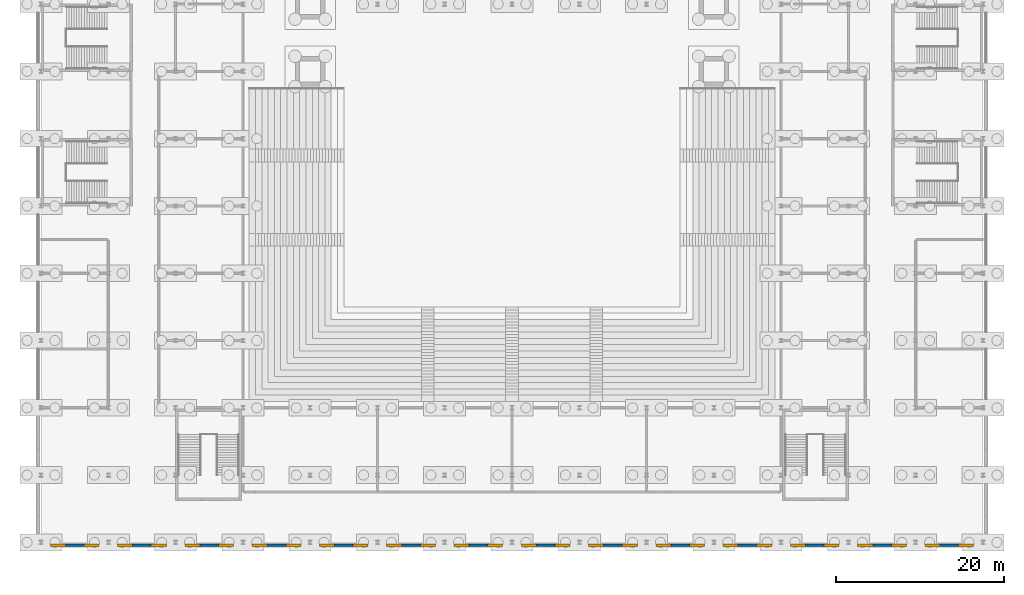
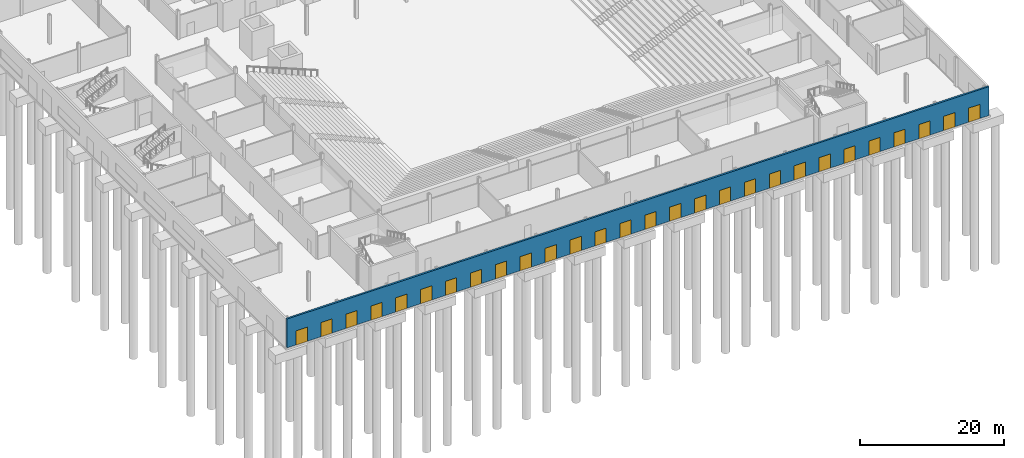
# One storey, part 11 of 24: 28 doors, 1 wall, 28 openings.
"""IFC4 building model written with IfcOpenShell, lengths in metres."""

from ifc_helpers import new_model, si_unit, direction, frame, frame_2d, origin, place, context, subcontext, project, spatial, rectangle, extrude, material, layer, layer_set, type_object, element, fill, save


model = new_model("IFC4")

# Units and contexts
model_context = context("Model", 3, precision=1e-05, world=origin(), true_north=direction((0.0, 1.0)))
body_context = subcontext(model_context, "Body", "Model", "MODEL_VIEW")
ifc_project = project(units=[si_unit("LENGTHUNIT", "METRE"), si_unit("AREAUNIT", "SQUARE_METRE"), si_unit("VOLUMEUNIT", "CUBIC_METRE"), si_unit("PLANEANGLEUNIT", "RADIAN"), si_unit("MASSUNIT", "GRAM", prefix="KILO")], contexts=[model_context])

# Site, building, storey
site_placement = place(None, origin())
site = spatial("IfcSite", under=ifc_project, at=site_placement, CompositionType="ELEMENT")
building_placement = place(site_placement, origin())
building = spatial("IfcBuilding", under=site, at=building_placement, Name="Daluyong Arena Tower", CompositionType="ELEMENT")
storey_placement = place(building_placement, origin())
storey = spatial("IfcBuildingStorey", under=building, at=storey_placement, Name="L00", CompositionType="ELEMENT", Elevation=0.0)

# Wall, openings, doors
ifc_material_1 = material(Name="Precast concrete fc' 45 MPa", Category="concrete")
ifc_layer = layer(ifc_material_1, 0.300048828125)
ifc_layer_set = layer_set([ifc_layer], Name="Precast concrete fc' 45 MPa")
wall_type = type_object("IfcWallType", Name="Podium precast base wall 300", PredefinedType="SOLIDWALL", material=ifc_layer_set)
wall_placement = place(storey_placement, frame((-0.35009765625, -0.35009765625, 0.0), z_axis=(0.0, 0.0, 1.0), x_axis=(1.0, 0.0, 0.0)))
wall = element("IfcWall", 1, at=wall_placement, inside=storey, type_object=wall_type, Name="podium base wall S L00", PredefinedType="SOLIDWALL", context=body_context, shape_type="SweptSolid", body=[
    extrude(rectangle(XDim=112.7001953125, YDim=0.300048828125, at=frame_2d((56.35009765625, 0.0))), origin(), (0.0, 0.0, 1.0), 4.89990234375),
])
opening_1_placement = place(wall_placement, frame((1.449951171875, 0.0, 0.0)))
opening_1 = element("IfcOpeningElement", 2, at=opening_1_placement, cuts=wall, Name="Opening E01", PredefinedType="OPENING", context=body_context, shape_type="SweptSolid", body=[
    extrude(rectangle(XDim=1.800048828125, YDim=2.39990234375, at=frame_2d((0.89990234375, 1.199951171875))), frame((0.0, 0.159912109375, 0.0), z_axis=(0.0, -1.0, 0.0), x_axis=(1.0, 0.0, 0.0)), (0.0, 0.0, 1.0), 0.320068359375),
])
opening_2_placement = place(wall_placement, frame((5.449951171875, 0.0, 0.0)))
opening_2 = element("IfcOpeningElement", 3, at=opening_2_placement, cuts=wall, Name="Opening E02", PredefinedType="OPENING", context=body_context, shape_type="SweptSolid", body=[
    extrude(rectangle(XDim=1.800048828125, YDim=2.39990234375, at=frame_2d((0.89990234375, 1.199951171875))), frame((0.0, 0.159912109375, 0.0), z_axis=(0.0, -1.0, 0.0), x_axis=(1.0, 0.0, 0.0)), (0.0, 0.0, 1.0), 0.320068359375),
])
opening_3_placement = place(wall_placement, frame((9.449951171875, 0.0, 0.0)))
opening_3 = element("IfcOpeningElement", 4, at=opening_3_placement, cuts=wall, Name="Opening E03", PredefinedType="OPENING", context=body_context, shape_type="SweptSolid", body=[
    extrude(rectangle(XDim=1.800048828125, YDim=2.39990234375, at=frame_2d((0.89990234375, 1.199951171875))), frame((0.0, 0.159912109375, 0.0), z_axis=(0.0, -1.0, 0.0), x_axis=(1.0, 0.0, 0.0)), (0.0, 0.0, 1.0), 0.320068359375),
])
opening_4_placement = place(wall_placement, frame((13.449951171875, 0.0, 0.0)))
opening_4 = element("IfcOpeningElement", 5, at=opening_4_placement, cuts=wall, Name="Opening E04", PredefinedType="OPENING", context=body_context, shape_type="SweptSolid", body=[
    extrude(rectangle(XDim=1.800048828125, YDim=2.39990234375, at=frame_2d((0.89990234375, 1.199951171875))), frame((0.0, 0.159912109375, 0.0), z_axis=(0.0, -1.0, 0.0), x_axis=(1.0, 0.0, 0.0)), (0.0, 0.0, 1.0), 0.320068359375),
])
opening_5_placement = place(wall_placement, frame((17.449951171875, 0.0, 0.0)))
opening_5 = element("IfcOpeningElement", 6, at=opening_5_placement, cuts=wall, Name="Opening E05", PredefinedType="OPENING", context=body_context, shape_type="SweptSolid", body=[
    extrude(rectangle(XDim=1.800048828125, YDim=2.39990234375, at=frame_2d((0.89990234375, 1.199951171875))), frame((0.0, 0.159912109375, 0.0), z_axis=(0.0, -1.0, 0.0), x_axis=(1.0, 0.0, 0.0)), (0.0, 0.0, 1.0), 0.320068359375),
])
opening_6_placement = place(wall_placement, frame((21.449951171875, 0.0, 0.0)))
opening_6 = element("IfcOpeningElement", 7, at=opening_6_placement, cuts=wall, Name="Opening E06", PredefinedType="OPENING", context=body_context, shape_type="SweptSolid", body=[
    extrude(rectangle(XDim=1.800048828125, YDim=2.39990234375, at=frame_2d((0.89990234375, 1.199951171875))), frame((0.0, 0.159912109375, 0.0), z_axis=(0.0, -1.0, 0.0), x_axis=(1.0, 0.0, 0.0)), (0.0, 0.0, 1.0), 0.320068359375),
])
opening_7_placement = place(wall_placement, frame((25.449951171875, 0.0, 0.0)))
opening_7 = element("IfcOpeningElement", 8, at=opening_7_placement, cuts=wall, Name="Opening E07", PredefinedType="OPENING", context=body_context, shape_type="SweptSolid", body=[
    extrude(rectangle(XDim=1.800048828125, YDim=2.39990234375, at=frame_2d((0.89990234375, 1.199951171875))), frame((0.0, 0.159912109375, 0.0), z_axis=(0.0, -1.0, 0.0), x_axis=(1.0, 0.0, 0.0)), (0.0, 0.0, 1.0), 0.320068359375),
])
opening_8_placement = place(wall_placement, frame((29.449951171875, 0.0, 0.0)))
opening_8 = element("IfcOpeningElement", 9, at=opening_8_placement, cuts=wall, Name="Opening E08", PredefinedType="OPENING", context=body_context, shape_type="SweptSolid", body=[
    extrude(rectangle(XDim=1.800048828125, YDim=2.39990234375, at=frame_2d((0.89990234375, 1.199951171875))), frame((0.0, 0.159912109375, 0.0), z_axis=(0.0, -1.0, 0.0), x_axis=(1.0, 0.0, 0.0)), (0.0, 0.0, 1.0), 0.320068359375),
])
opening_9_placement = place(wall_placement, frame((33.449951171875, 0.0, 0.0)))
opening_9 = element("IfcOpeningElement", 10, at=opening_9_placement, cuts=wall, Name="Opening E09", PredefinedType="OPENING", context=body_context, shape_type="SweptSolid", body=[
    extrude(rectangle(XDim=1.800048828125, YDim=2.39990234375, at=frame_2d((0.89990234375, 1.199951171875))), frame((0.0, 0.159912109375, 0.0), z_axis=(0.0, -1.0, 0.0), x_axis=(1.0, 0.0, 0.0)), (0.0, 0.0, 1.0), 0.320068359375),
])
opening_10_placement = place(wall_placement, frame((37.449951171875, 0.0, 0.0)))
opening_10 = element("IfcOpeningElement", 11, at=opening_10_placement, cuts=wall, Name="Opening E10", PredefinedType="OPENING", context=body_context, shape_type="SweptSolid", body=[
    extrude(rectangle(XDim=1.800048828125, YDim=2.39990234375, at=frame_2d((0.89990234375, 1.199951171875))), frame((0.0, 0.159912109375, 0.0), z_axis=(0.0, -1.0, 0.0), x_axis=(1.0, 0.0, 0.0)), (0.0, 0.0, 1.0), 0.320068359375),
])
opening_11_placement = place(wall_placement, frame((41.449951171875, 0.0, 0.0)))
opening_11 = element("IfcOpeningElement", 12, at=opening_11_placement, cuts=wall, Name="Opening E11", PredefinedType="OPENING", context=body_context, shape_type="SweptSolid", body=[
    extrude(rectangle(XDim=1.800048828125, YDim=2.39990234375, at=frame_2d((0.89990234375, 1.199951171875))), frame((0.0, 0.159912109375, 0.0), z_axis=(0.0, -1.0, 0.0), x_axis=(1.0, 0.0, 0.0)), (0.0, 0.0, 1.0), 0.320068359375),
])
opening_12_placement = place(wall_placement, frame((45.449951171875, 0.0, 0.0)))
opening_12 = element("IfcOpeningElement", 13, at=opening_12_placement, cuts=wall, Name="Opening E12", PredefinedType="OPENING", context=body_context, shape_type="SweptSolid", body=[
    extrude(rectangle(XDim=1.800048828125, YDim=2.39990234375, at=frame_2d((0.89990234375, 1.199951171875))), frame((0.0, 0.159912109375, 0.0), z_axis=(0.0, -1.0, 0.0), x_axis=(1.0, 0.0, 0.0)), (0.0, 0.0, 1.0), 0.320068359375),
])
opening_13_placement = place(wall_placement, frame((49.449951171875, 0.0, 0.0)))
opening_13 = element("IfcOpeningElement", 14, at=opening_13_placement, cuts=wall, Name="Opening E13", PredefinedType="OPENING", context=body_context, shape_type="SweptSolid", body=[
    extrude(rectangle(XDim=1.800048828125, YDim=2.39990234375, at=frame_2d((0.89990234375, 1.199951171875))), frame((0.0, 0.159912109375, 0.0), z_axis=(0.0, -1.0, 0.0), x_axis=(1.0, 0.0, 0.0)), (0.0, 0.0, 1.0), 0.320068359375),
])
opening_14_placement = place(wall_placement, frame((53.449951171875, 0.0, 0.0)))
opening_14 = element("IfcOpeningElement", 15, at=opening_14_placement, cuts=wall, Name="Opening E14", PredefinedType="OPENING", context=body_context, shape_type="SweptSolid", body=[
    extrude(rectangle(XDim=1.800048828125, YDim=2.39990234375, at=frame_2d((0.89990234375, 1.199951171875))), frame((0.0, 0.159912109375, 0.0), z_axis=(0.0, -1.0, 0.0), x_axis=(1.0, 0.0, 0.0)), (0.0, 0.0, 1.0), 0.320068359375),
])
opening_15_placement = place(wall_placement, frame((57.449951171875, 0.0, 0.0)))
opening_15 = element("IfcOpeningElement", 16, at=opening_15_placement, cuts=wall, Name="Opening E15", PredefinedType="OPENING", context=body_context, shape_type="SweptSolid", body=[
    extrude(rectangle(XDim=1.800048828125, YDim=2.39990234375, at=frame_2d((0.89990234375, 1.199951171875))), frame((0.0, 0.159912109375, 0.0), z_axis=(0.0, -1.0, 0.0), x_axis=(1.0, 0.0, 0.0)), (0.0, 0.0, 1.0), 0.320068359375),
])
opening_16_placement = place(wall_placement, frame((61.449951171875, 0.0, 0.0)))
opening_16 = element("IfcOpeningElement", 17, at=opening_16_placement, cuts=wall, Name="Opening E16", PredefinedType="OPENING", context=body_context, shape_type="SweptSolid", body=[
    extrude(rectangle(XDim=1.800048828125, YDim=2.39990234375, at=frame_2d((0.89990234375, 1.199951171875))), frame((0.0, 0.159912109375, 0.0), z_axis=(0.0, -1.0, 0.0), x_axis=(1.0, 0.0, 0.0)), (0.0, 0.0, 1.0), 0.320068359375),
])
opening_17_placement = place(wall_placement, frame((65.449951171875, 0.0, 0.0)))
opening_17 = element("IfcOpeningElement", 18, at=opening_17_placement, cuts=wall, Name="Opening E17", PredefinedType="OPENING", context=body_context, shape_type="SweptSolid", body=[
    extrude(rectangle(XDim=1.800048828125, YDim=2.39990234375, at=frame_2d((0.89990234375, 1.199951171875))), frame((0.0, 0.159912109375, 0.0), z_axis=(0.0, -1.0, 0.0), x_axis=(1.0, 0.0, 0.0)), (0.0, 0.0, 1.0), 0.320068359375),
])
opening_18_placement = place(wall_placement, frame((69.449951171875, 0.0, 0.0)))
opening_18 = element("IfcOpeningElement", 19, at=opening_18_placement, cuts=wall, Name="Opening E18", PredefinedType="OPENING", context=body_context, shape_type="SweptSolid", body=[
    extrude(rectangle(XDim=1.800048828125, YDim=2.39990234375, at=frame_2d((0.89990234375, 1.199951171875))), frame((0.0, 0.159912109375, 0.0), z_axis=(0.0, -1.0, 0.0), x_axis=(1.0, 0.0, 0.0)), (0.0, 0.0, 1.0), 0.320068359375),
])
opening_19_placement = place(wall_placement, frame((73.449951171875, 0.0, 0.0)))
opening_19 = element("IfcOpeningElement", 20, at=opening_19_placement, cuts=wall, Name="Opening E19", PredefinedType="OPENING", context=body_context, shape_type="SweptSolid", body=[
    extrude(rectangle(XDim=1.800048828125, YDim=2.39990234375, at=frame_2d((0.89990234375, 1.199951171875))), frame((0.0, 0.159912109375, 0.0), z_axis=(0.0, -1.0, 0.0), x_axis=(1.0, 0.0, 0.0)), (0.0, 0.0, 1.0), 0.320068359375),
])
opening_20_placement = place(wall_placement, frame((77.449951171875, 0.0, 0.0)))
opening_20 = element("IfcOpeningElement", 21, at=opening_20_placement, cuts=wall, Name="Opening E20", PredefinedType="OPENING", context=body_context, shape_type="SweptSolid", body=[
    extrude(rectangle(XDim=1.800048828125, YDim=2.39990234375, at=frame_2d((0.89990234375, 1.199951171875))), frame((0.0, 0.159912109375, 0.0), z_axis=(0.0, -1.0, 0.0), x_axis=(1.0, 0.0, 0.0)), (0.0, 0.0, 1.0), 0.320068359375),
])
opening_21_placement = place(wall_placement, frame((81.449951171875, 0.0, 0.0)))
opening_21 = element("IfcOpeningElement", 22, at=opening_21_placement, cuts=wall, Name="Opening E21", PredefinedType="OPENING", context=body_context, shape_type="SweptSolid", body=[
    extrude(rectangle(XDim=1.800048828125, YDim=2.39990234375, at=frame_2d((0.89990234375, 1.199951171875))), frame((0.0, 0.159912109375, 0.0), z_axis=(0.0, -1.0, 0.0), x_axis=(1.0, 0.0, 0.0)), (0.0, 0.0, 1.0), 0.320068359375),
])
opening_22_placement = place(wall_placement, frame((85.449951171875, 0.0, 0.0)))
opening_22 = element("IfcOpeningElement", 23, at=opening_22_placement, cuts=wall, Name="Opening E22", PredefinedType="OPENING", context=body_context, shape_type="SweptSolid", body=[
    extrude(rectangle(XDim=1.800048828125, YDim=2.39990234375, at=frame_2d((0.89990234375, 1.199951171875))), frame((0.0, 0.159912109375, 0.0), z_axis=(0.0, -1.0, 0.0), x_axis=(1.0, 0.0, 0.0)), (0.0, 0.0, 1.0), 0.320068359375),
])
opening_23_placement = place(wall_placement, frame((89.449951171875, 0.0, 0.0)))
opening_23 = element("IfcOpeningElement", 24, at=opening_23_placement, cuts=wall, Name="Opening E23", PredefinedType="OPENING", context=body_context, shape_type="SweptSolid", body=[
    extrude(rectangle(XDim=1.800048828125, YDim=2.39990234375, at=frame_2d((0.89990234375, 1.199951171875))), frame((0.0, 0.159912109375, 0.0), z_axis=(0.0, -1.0, 0.0), x_axis=(1.0, 0.0, 0.0)), (0.0, 0.0, 1.0), 0.320068359375),
])
opening_24_placement = place(wall_placement, frame((93.449951171875, 0.0, 0.0)))
opening_24 = element("IfcOpeningElement", 25, at=opening_24_placement, cuts=wall, Name="Opening E24", PredefinedType="OPENING", context=body_context, shape_type="SweptSolid", body=[
    extrude(rectangle(XDim=1.800048828125, YDim=2.39990234375, at=frame_2d((0.89990234375, 1.199951171875))), frame((0.0, 0.159912109375, 0.0), z_axis=(0.0, -1.0, 0.0), x_axis=(1.0, 0.0, 0.0)), (0.0, 0.0, 1.0), 0.320068359375),
])
opening_25_placement = place(wall_placement, frame((97.449951171875, 0.0, 0.0)))
opening_25 = element("IfcOpeningElement", 26, at=opening_25_placement, cuts=wall, Name="Opening E25", PredefinedType="OPENING", context=body_context, shape_type="SweptSolid", body=[
    extrude(rectangle(XDim=1.800048828125, YDim=2.39990234375, at=frame_2d((0.89990234375, 1.199951171875))), frame((0.0, 0.159912109375, 0.0), z_axis=(0.0, -1.0, 0.0), x_axis=(1.0, 0.0, 0.0)), (0.0, 0.0, 1.0), 0.320068359375),
])
opening_26_placement = place(wall_placement, frame((101.449951171875, 0.0, 0.0)))
opening_26 = element("IfcOpeningElement", 27, at=opening_26_placement, cuts=wall, Name="Opening E26", PredefinedType="OPENING", context=body_context, shape_type="SweptSolid", body=[
    extrude(rectangle(XDim=1.800048828125, YDim=2.39990234375, at=frame_2d((0.89990234375, 1.199951171875))), frame((0.0, 0.159912109375, 0.0), z_axis=(0.0, -1.0, 0.0), x_axis=(1.0, 0.0, 0.0)), (0.0, 0.0, 1.0), 0.320068359375),
])
opening_27_placement = place(wall_placement, frame((105.449951171875, 0.0, 0.0)))
opening_27 = element("IfcOpeningElement", 28, at=opening_27_placement, cuts=wall, Name="Opening E27", PredefinedType="OPENING", context=body_context, shape_type="SweptSolid", body=[
    extrude(rectangle(XDim=1.800048828125, YDim=2.39990234375, at=frame_2d((0.89990234375, 1.199951171875))), frame((0.0, 0.159912109375, 0.0), z_axis=(0.0, -1.0, 0.0), x_axis=(1.0, 0.0, 0.0)), (0.0, 0.0, 1.0), 0.320068359375),
])
opening_28_placement = place(wall_placement, frame((109.449951171875, 0.0, 0.0)))
opening_28 = element("IfcOpeningElement", 29, at=opening_28_placement, cuts=wall, Name="Opening E28", PredefinedType="OPENING", context=body_context, shape_type="SweptSolid", body=[
    extrude(rectangle(XDim=1.800048828125, YDim=2.39990234375, at=frame_2d((0.89990234375, 1.199951171875))), frame((0.0, 0.159912109375, 0.0), z_axis=(0.0, -1.0, 0.0), x_axis=(1.0, 0.0, 0.0)), (0.0, 0.0, 1.0), 0.320068359375),
])
ifc_material_2 = material(Name="Steel door", Category="steel")
door_type = type_object("IfcDoorType", Name="Exit door 1800", OperationType="DOUBLE_DOOR_SINGLE_SWING", PredefinedType="DOOR", material=ifc_material_2)
door_1_placement = place(opening_1_placement, frame((1.800048828125, 0.0, 0.0), z_axis=(0.0, 0.0, 1.0), x_axis=(-1.0, 0.0, 0.0)))
door_1 = element("IfcDoor", 30, at=door_1_placement, inside=storey, type_object=door_type, Name="exit door E01", OperationType="DOUBLE_DOOR_SINGLE_SWING", OverallHeight=2.39990234375, OverallWidth=1.800048828125, PredefinedType="DOOR", context=body_context, shape_type="SweptSolid", body=[
    extrude(rectangle(XDim=1.800048828125, YDim=2.39990234375, at=frame_2d((0.89990234375, 1.199951171875))), frame((0.0, 0.14990234375, 0.0), z_axis=(0.0, -1.0, 0.0), x_axis=(1.0, 0.0, 0.0)), (0.0, 0.0, 1.0), 0.299560546875),
])
fill(opening_1, door_1)
door_2_placement = place(opening_2_placement, frame((1.800048828125, 0.0, 0.0), z_axis=(0.0, 0.0, 1.0), x_axis=(-1.0, 0.0, 0.0)))
door_2 = element("IfcDoor", 31, at=door_2_placement, inside=storey, type_object=door_type, Name="exit door E02", OperationType="DOUBLE_DOOR_SINGLE_SWING", OverallHeight=2.39990234375, OverallWidth=1.800048828125, PredefinedType="DOOR", context=body_context, shape_type="SweptSolid", body=[
    extrude(rectangle(XDim=1.800048828125, YDim=2.39990234375, at=frame_2d((0.89990234375, 1.199951171875))), frame((0.0, 0.14990234375, 0.0), z_axis=(0.0, -1.0, 0.0), x_axis=(1.0, 0.0, 0.0)), (0.0, 0.0, 1.0), 0.299560546875),
])
fill(opening_2, door_2)
door_3_placement = place(opening_3_placement, frame((1.800048828125, 0.0, 0.0), z_axis=(0.0, 0.0, 1.0), x_axis=(-1.0, 0.0, 0.0)))
door_3 = element("IfcDoor", 32, at=door_3_placement, inside=storey, type_object=door_type, Name="exit door E03", OperationType="DOUBLE_DOOR_SINGLE_SWING", OverallHeight=2.39990234375, OverallWidth=1.800048828125, PredefinedType="DOOR", context=body_context, shape_type="SweptSolid", body=[
    extrude(rectangle(XDim=1.800048828125, YDim=2.39990234375, at=frame_2d((0.89990234375, 1.199951171875))), frame((0.0, 0.14990234375, 0.0), z_axis=(0.0, -1.0, 0.0), x_axis=(1.0, 0.0, 0.0)), (0.0, 0.0, 1.0), 0.299560546875),
])
fill(opening_3, door_3)
door_4_placement = place(opening_4_placement, frame((1.800048828125, 0.0, 0.0), z_axis=(0.0, 0.0, 1.0), x_axis=(-1.0, 0.0, 0.0)))
door_4 = element("IfcDoor", 33, at=door_4_placement, inside=storey, type_object=door_type, Name="exit door E04", OperationType="DOUBLE_DOOR_SINGLE_SWING", OverallHeight=2.39990234375, OverallWidth=1.800048828125, PredefinedType="DOOR", context=body_context, shape_type="SweptSolid", body=[
    extrude(rectangle(XDim=1.800048828125, YDim=2.39990234375, at=frame_2d((0.89990234375, 1.199951171875))), frame((0.0, 0.14990234375, 0.0), z_axis=(0.0, -1.0, 0.0), x_axis=(1.0, 0.0, 0.0)), (0.0, 0.0, 1.0), 0.299560546875),
])
fill(opening_4, door_4)
door_5_placement = place(opening_5_placement, frame((1.800048828125, 0.0, 0.0), z_axis=(0.0, 0.0, 1.0), x_axis=(-1.0, 0.0, 0.0)))
door_5 = element("IfcDoor", 34, at=door_5_placement, inside=storey, type_object=door_type, Name="exit door E05", OperationType="DOUBLE_DOOR_SINGLE_SWING", OverallHeight=2.39990234375, OverallWidth=1.800048828125, PredefinedType="DOOR", context=body_context, shape_type="SweptSolid", body=[
    extrude(rectangle(XDim=1.800048828125, YDim=2.39990234375, at=frame_2d((0.89990234375, 1.199951171875))), frame((0.0, 0.14990234375, 0.0), z_axis=(0.0, -1.0, 0.0), x_axis=(1.0, 0.0, 0.0)), (0.0, 0.0, 1.0), 0.299560546875),
])
fill(opening_5, door_5)
door_6_placement = place(opening_6_placement, frame((1.800048828125, 0.0, 0.0), z_axis=(0.0, 0.0, 1.0), x_axis=(-1.0, 0.0, 0.0)))
door_6 = element("IfcDoor", 35, at=door_6_placement, inside=storey, type_object=door_type, Name="exit door E06", OperationType="DOUBLE_DOOR_SINGLE_SWING", OverallHeight=2.39990234375, OverallWidth=1.800048828125, PredefinedType="DOOR", context=body_context, shape_type="SweptSolid", body=[
    extrude(rectangle(XDim=1.800048828125, YDim=2.39990234375, at=frame_2d((0.89990234375, 1.199951171875))), frame((0.0, 0.14990234375, 0.0), z_axis=(0.0, -1.0, 0.0), x_axis=(1.0, 0.0, 0.0)), (0.0, 0.0, 1.0), 0.299560546875),
])
fill(opening_6, door_6)
door_7_placement = place(opening_7_placement, frame((1.800048828125, 0.0, 0.0), z_axis=(0.0, 0.0, 1.0), x_axis=(-1.0, 0.0, 0.0)))
door_7 = element("IfcDoor", 36, at=door_7_placement, inside=storey, type_object=door_type, Name="exit door E07", OperationType="DOUBLE_DOOR_SINGLE_SWING", OverallHeight=2.39990234375, OverallWidth=1.800048828125, PredefinedType="DOOR", context=body_context, shape_type="SweptSolid", body=[
    extrude(rectangle(XDim=1.800048828125, YDim=2.39990234375, at=frame_2d((0.89990234375, 1.199951171875))), frame((0.0, 0.14990234375, 0.0), z_axis=(0.0, -1.0, 0.0), x_axis=(1.0, 0.0, 0.0)), (0.0, 0.0, 1.0), 0.299560546875),
])
fill(opening_7, door_7)
door_8_placement = place(opening_8_placement, frame((1.800048828125, 0.0, 0.0), z_axis=(0.0, 0.0, 1.0), x_axis=(-1.0, 0.0, 0.0)))
door_8 = element("IfcDoor", 37, at=door_8_placement, inside=storey, type_object=door_type, Name="exit door E08", OperationType="DOUBLE_DOOR_SINGLE_SWING", OverallHeight=2.39990234375, OverallWidth=1.800048828125, PredefinedType="DOOR", context=body_context, shape_type="SweptSolid", body=[
    extrude(rectangle(XDim=1.800048828125, YDim=2.39990234375, at=frame_2d((0.89990234375, 1.199951171875))), frame((0.0, 0.14990234375, 0.0), z_axis=(0.0, -1.0, 0.0), x_axis=(1.0, 0.0, 0.0)), (0.0, 0.0, 1.0), 0.299560546875),
])
fill(opening_8, door_8)
door_9_placement = place(opening_9_placement, frame((1.800048828125, 0.0, 0.0), z_axis=(0.0, 0.0, 1.0), x_axis=(-1.0, 0.0, 0.0)))
door_9 = element("IfcDoor", 38, at=door_9_placement, inside=storey, type_object=door_type, Name="exit door E09", OperationType="DOUBLE_DOOR_SINGLE_SWING", OverallHeight=2.39990234375, OverallWidth=1.800048828125, PredefinedType="DOOR", context=body_context, shape_type="SweptSolid", body=[
    extrude(rectangle(XDim=1.800048828125, YDim=2.39990234375, at=frame_2d((0.89990234375, 1.199951171875))), frame((0.0, 0.14990234375, 0.0), z_axis=(0.0, -1.0, 0.0), x_axis=(1.0, 0.0, 0.0)), (0.0, 0.0, 1.0), 0.299560546875),
])
fill(opening_9, door_9)
door_10_placement = place(opening_10_placement, frame((1.800048828125, 0.0, 0.0), z_axis=(0.0, 0.0, 1.0), x_axis=(-1.0, 0.0, 0.0)))
door_10 = element("IfcDoor", 39, at=door_10_placement, inside=storey, type_object=door_type, Name="exit door E10", OperationType="DOUBLE_DOOR_SINGLE_SWING", OverallHeight=2.39990234375, OverallWidth=1.800048828125, PredefinedType="DOOR", context=body_context, shape_type="SweptSolid", body=[
    extrude(rectangle(XDim=1.800048828125, YDim=2.39990234375, at=frame_2d((0.89990234375, 1.199951171875))), frame((0.0, 0.14990234375, 0.0), z_axis=(0.0, -1.0, 0.0), x_axis=(1.0, 0.0, 0.0)), (0.0, 0.0, 1.0), 0.299560546875),
])
fill(opening_10, door_10)
door_11_placement = place(opening_11_placement, frame((1.800048828125, 0.0, 0.0), z_axis=(0.0, 0.0, 1.0), x_axis=(-1.0, 0.0, 0.0)))
door_11 = element("IfcDoor", 40, at=door_11_placement, inside=storey, type_object=door_type, Name="exit door E11", OperationType="DOUBLE_DOOR_SINGLE_SWING", OverallHeight=2.39990234375, OverallWidth=1.800048828125, PredefinedType="DOOR", context=body_context, shape_type="SweptSolid", body=[
    extrude(rectangle(XDim=1.800048828125, YDim=2.39990234375, at=frame_2d((0.89990234375, 1.199951171875))), frame((0.0, 0.14990234375, 0.0), z_axis=(0.0, -1.0, 0.0), x_axis=(1.0, 0.0, 0.0)), (0.0, 0.0, 1.0), 0.299560546875),
])
fill(opening_11, door_11)
door_12_placement = place(opening_12_placement, frame((1.800048828125, 0.0, 0.0), z_axis=(0.0, 0.0, 1.0), x_axis=(-1.0, 0.0, 0.0)))
door_12 = element("IfcDoor", 41, at=door_12_placement, inside=storey, type_object=door_type, Name="exit door E12", OperationType="DOUBLE_DOOR_SINGLE_SWING", OverallHeight=2.39990234375, OverallWidth=1.800048828125, PredefinedType="DOOR", context=body_context, shape_type="SweptSolid", body=[
    extrude(rectangle(XDim=1.800048828125, YDim=2.39990234375, at=frame_2d((0.89990234375, 1.199951171875))), frame((0.0, 0.14990234375, 0.0), z_axis=(0.0, -1.0, 0.0), x_axis=(1.0, 0.0, 0.0)), (0.0, 0.0, 1.0), 0.299560546875),
])
fill(opening_12, door_12)
door_13_placement = place(opening_13_placement, frame((1.800048828125, 0.0, 0.0), z_axis=(0.0, 0.0, 1.0), x_axis=(-1.0, 0.0, 0.0)))
door_13 = element("IfcDoor", 42, at=door_13_placement, inside=storey, type_object=door_type, Name="exit door E13", OperationType="DOUBLE_DOOR_SINGLE_SWING", OverallHeight=2.39990234375, OverallWidth=1.800048828125, PredefinedType="DOOR", context=body_context, shape_type="SweptSolid", body=[
    extrude(rectangle(XDim=1.800048828125, YDim=2.39990234375, at=frame_2d((0.89990234375, 1.199951171875))), frame((0.0, 0.14990234375, 0.0), z_axis=(0.0, -1.0, 0.0), x_axis=(1.0, 0.0, 0.0)), (0.0, 0.0, 1.0), 0.299560546875),
])
fill(opening_13, door_13)
door_14_placement = place(opening_14_placement, frame((1.800048828125, 0.0, 0.0), z_axis=(0.0, 0.0, 1.0), x_axis=(-1.0, 0.0, 0.0)))
door_14 = element("IfcDoor", 43, at=door_14_placement, inside=storey, type_object=door_type, Name="exit door E14", OperationType="DOUBLE_DOOR_SINGLE_SWING", OverallHeight=2.39990234375, OverallWidth=1.800048828125, PredefinedType="DOOR", context=body_context, shape_type="SweptSolid", body=[
    extrude(rectangle(XDim=1.800048828125, YDim=2.39990234375, at=frame_2d((0.89990234375, 1.199951171875))), frame((0.0, 0.14990234375, 0.0), z_axis=(0.0, -1.0, 0.0), x_axis=(1.0, 0.0, 0.0)), (0.0, 0.0, 1.0), 0.299560546875),
])
fill(opening_14, door_14)
door_15_placement = place(opening_15_placement, frame((1.800048828125, 0.0, 0.0), z_axis=(0.0, 0.0, 1.0), x_axis=(-1.0, 0.0, 0.0)))
door_15 = element("IfcDoor", 44, at=door_15_placement, inside=storey, type_object=door_type, Name="exit door E15", OperationType="DOUBLE_DOOR_SINGLE_SWING", OverallHeight=2.39990234375, OverallWidth=1.800048828125, PredefinedType="DOOR", context=body_context, shape_type="SweptSolid", body=[
    extrude(rectangle(XDim=1.800048828125, YDim=2.39990234375, at=frame_2d((0.89990234375, 1.199951171875))), frame((0.0, 0.14990234375, 0.0), z_axis=(0.0, -1.0, 0.0), x_axis=(1.0, 0.0, 0.0)), (0.0, 0.0, 1.0), 0.299560546875),
])
fill(opening_15, door_15)
door_16_placement = place(opening_16_placement, frame((1.800048828125, 0.0, 0.0), z_axis=(0.0, 0.0, 1.0), x_axis=(-1.0, 0.0, 0.0)))
door_16 = element("IfcDoor", 45, at=door_16_placement, inside=storey, type_object=door_type, Name="exit door E16", OperationType="DOUBLE_DOOR_SINGLE_SWING", OverallHeight=2.39990234375, OverallWidth=1.800048828125, PredefinedType="DOOR", context=body_context, shape_type="SweptSolid", body=[
    extrude(rectangle(XDim=1.800048828125, YDim=2.39990234375, at=frame_2d((0.89990234375, 1.199951171875))), frame((0.0, 0.14990234375, 0.0), z_axis=(0.0, -1.0, 0.0), x_axis=(1.0, 0.0, 0.0)), (0.0, 0.0, 1.0), 0.299560546875),
])
fill(opening_16, door_16)
door_17_placement = place(opening_17_placement, frame((1.800048828125, 0.0, 0.0), z_axis=(0.0, 0.0, 1.0), x_axis=(-1.0, 0.0, 0.0)))
door_17 = element("IfcDoor", 46, at=door_17_placement, inside=storey, type_object=door_type, Name="exit door E17", OperationType="DOUBLE_DOOR_SINGLE_SWING", OverallHeight=2.39990234375, OverallWidth=1.800048828125, PredefinedType="DOOR", context=body_context, shape_type="SweptSolid", body=[
    extrude(rectangle(XDim=1.800048828125, YDim=2.39990234375, at=frame_2d((0.89990234375, 1.199951171875))), frame((0.0, 0.14990234375, 0.0), z_axis=(0.0, -1.0, 0.0), x_axis=(1.0, 0.0, 0.0)), (0.0, 0.0, 1.0), 0.299560546875),
])
fill(opening_17, door_17)
door_18_placement = place(opening_18_placement, frame((1.800048828125, 0.0, 0.0), z_axis=(0.0, 0.0, 1.0), x_axis=(-1.0, 0.0, 0.0)))
door_18 = element("IfcDoor", 47, at=door_18_placement, inside=storey, type_object=door_type, Name="exit door E18", OperationType="DOUBLE_DOOR_SINGLE_SWING", OverallHeight=2.39990234375, OverallWidth=1.800048828125, PredefinedType="DOOR", context=body_context, shape_type="SweptSolid", body=[
    extrude(rectangle(XDim=1.800048828125, YDim=2.39990234375, at=frame_2d((0.89990234375, 1.199951171875))), frame((0.0, 0.14990234375, 0.0), z_axis=(0.0, -1.0, 0.0), x_axis=(1.0, 0.0, 0.0)), (0.0, 0.0, 1.0), 0.299560546875),
])
fill(opening_18, door_18)
door_19_placement = place(opening_19_placement, frame((1.800048828125, 0.0, 0.0), z_axis=(0.0, 0.0, 1.0), x_axis=(-1.0, 0.0, 0.0)))
door_19 = element("IfcDoor", 48, at=door_19_placement, inside=storey, type_object=door_type, Name="exit door E19", OperationType="DOUBLE_DOOR_SINGLE_SWING", OverallHeight=2.39990234375, OverallWidth=1.800048828125, PredefinedType="DOOR", context=body_context, shape_type="SweptSolid", body=[
    extrude(rectangle(XDim=1.800048828125, YDim=2.39990234375, at=frame_2d((0.89990234375, 1.199951171875))), frame((0.0, 0.14990234375, 0.0), z_axis=(0.0, -1.0, 0.0), x_axis=(1.0, 0.0, 0.0)), (0.0, 0.0, 1.0), 0.299560546875),
])
fill(opening_19, door_19)
door_20_placement = place(opening_20_placement, frame((1.800048828125, 0.0, 0.0), z_axis=(0.0, 0.0, 1.0), x_axis=(-1.0, 0.0, 0.0)))
door_20 = element("IfcDoor", 49, at=door_20_placement, inside=storey, type_object=door_type, Name="exit door E20", OperationType="DOUBLE_DOOR_SINGLE_SWING", OverallHeight=2.39990234375, OverallWidth=1.800048828125, PredefinedType="DOOR", context=body_context, shape_type="SweptSolid", body=[
    extrude(rectangle(XDim=1.800048828125, YDim=2.39990234375, at=frame_2d((0.89990234375, 1.199951171875))), frame((0.0, 0.14990234375, 0.0), z_axis=(0.0, -1.0, 0.0), x_axis=(1.0, 0.0, 0.0)), (0.0, 0.0, 1.0), 0.299560546875),
])
fill(opening_20, door_20)
door_21_placement = place(opening_21_placement, frame((1.800048828125, 0.0, 0.0), z_axis=(0.0, 0.0, 1.0), x_axis=(-1.0, 0.0, 0.0)))
door_21 = element("IfcDoor", 50, at=door_21_placement, inside=storey, type_object=door_type, Name="exit door E21", OperationType="DOUBLE_DOOR_SINGLE_SWING", OverallHeight=2.39990234375, OverallWidth=1.800048828125, PredefinedType="DOOR", context=body_context, shape_type="SweptSolid", body=[
    extrude(rectangle(XDim=1.800048828125, YDim=2.39990234375, at=frame_2d((0.89990234375, 1.199951171875))), frame((0.0, 0.14990234375, 0.0), z_axis=(0.0, -1.0, 0.0), x_axis=(1.0, 0.0, 0.0)), (0.0, 0.0, 1.0), 0.299560546875),
])
fill(opening_21, door_21)
door_22_placement = place(opening_22_placement, frame((1.800048828125, 0.0, 0.0), z_axis=(0.0, 0.0, 1.0), x_axis=(-1.0, 0.0, 0.0)))
door_22 = element("IfcDoor", 51, at=door_22_placement, inside=storey, type_object=door_type, Name="exit door E22", OperationType="DOUBLE_DOOR_SINGLE_SWING", OverallHeight=2.39990234375, OverallWidth=1.800048828125, PredefinedType="DOOR", context=body_context, shape_type="SweptSolid", body=[
    extrude(rectangle(XDim=1.800048828125, YDim=2.39990234375, at=frame_2d((0.89990234375, 1.199951171875))), frame((0.0, 0.14990234375, 0.0), z_axis=(0.0, -1.0, 0.0), x_axis=(1.0, 0.0, 0.0)), (0.0, 0.0, 1.0), 0.299560546875),
])
fill(opening_22, door_22)
door_23_placement = place(opening_23_placement, frame((1.800048828125, 0.0, 0.0), z_axis=(0.0, 0.0, 1.0), x_axis=(-1.0, 0.0, 0.0)))
door_23 = element("IfcDoor", 52, at=door_23_placement, inside=storey, type_object=door_type, Name="exit door E23", OperationType="DOUBLE_DOOR_SINGLE_SWING", OverallHeight=2.39990234375, OverallWidth=1.800048828125, PredefinedType="DOOR", context=body_context, shape_type="SweptSolid", body=[
    extrude(rectangle(XDim=1.800048828125, YDim=2.39990234375, at=frame_2d((0.89990234375, 1.199951171875))), frame((0.0, 0.14990234375, 0.0), z_axis=(0.0, -1.0, 0.0), x_axis=(1.0, 0.0, 0.0)), (0.0, 0.0, 1.0), 0.299560546875),
])
fill(opening_23, door_23)
door_24_placement = place(opening_24_placement, frame((1.800048828125, 0.0, 0.0), z_axis=(0.0, 0.0, 1.0), x_axis=(-1.0, 0.0, 0.0)))
door_24 = element("IfcDoor", 53, at=door_24_placement, inside=storey, type_object=door_type, Name="exit door E24", OperationType="DOUBLE_DOOR_SINGLE_SWING", OverallHeight=2.39990234375, OverallWidth=1.800048828125, PredefinedType="DOOR", context=body_context, shape_type="SweptSolid", body=[
    extrude(rectangle(XDim=1.800048828125, YDim=2.39990234375, at=frame_2d((0.89990234375, 1.199951171875))), frame((0.0, 0.14990234375, 0.0), z_axis=(0.0, -1.0, 0.0), x_axis=(1.0, 0.0, 0.0)), (0.0, 0.0, 1.0), 0.299560546875),
])
fill(opening_24, door_24)
door_25_placement = place(opening_25_placement, frame((1.800048828125, 0.0, 0.0), z_axis=(0.0, 0.0, 1.0), x_axis=(-1.0, 0.0, 0.0)))
door_25 = element("IfcDoor", 54, at=door_25_placement, inside=storey, type_object=door_type, Name="exit door E25", OperationType="DOUBLE_DOOR_SINGLE_SWING", OverallHeight=2.39990234375, OverallWidth=1.800048828125, PredefinedType="DOOR", context=body_context, shape_type="SweptSolid", body=[
    extrude(rectangle(XDim=1.800048828125, YDim=2.39990234375, at=frame_2d((0.89990234375, 1.199951171875))), frame((0.0, 0.14990234375, 0.0), z_axis=(0.0, -1.0, 0.0), x_axis=(1.0, 0.0, 0.0)), (0.0, 0.0, 1.0), 0.299560546875),
])
fill(opening_25, door_25)
door_26_placement = place(opening_26_placement, frame((1.800048828125, 0.0, 0.0), z_axis=(0.0, 0.0, 1.0), x_axis=(-1.0, 0.0, 0.0)))
door_26 = element("IfcDoor", 55, at=door_26_placement, inside=storey, type_object=door_type, Name="exit door E26", OperationType="DOUBLE_DOOR_SINGLE_SWING", OverallHeight=2.39990234375, OverallWidth=1.800048828125, PredefinedType="DOOR", context=body_context, shape_type="SweptSolid", body=[
    extrude(rectangle(XDim=1.800048828125, YDim=2.39990234375, at=frame_2d((0.89990234375, 1.199951171875))), frame((0.0, 0.14990234375, 0.0), z_axis=(0.0, -1.0, 0.0), x_axis=(1.0, 0.0, 0.0)), (0.0, 0.0, 1.0), 0.299560546875),
])
fill(opening_26, door_26)
door_27_placement = place(opening_27_placement, frame((1.800048828125, 0.0, 0.0), z_axis=(0.0, 0.0, 1.0), x_axis=(-1.0, 0.0, 0.0)))
door_27 = element("IfcDoor", 56, at=door_27_placement, inside=storey, type_object=door_type, Name="exit door E27", OperationType="DOUBLE_DOOR_SINGLE_SWING", OverallHeight=2.39990234375, OverallWidth=1.800048828125, PredefinedType="DOOR", context=body_context, shape_type="SweptSolid", body=[
    extrude(rectangle(XDim=1.800048828125, YDim=2.39990234375, at=frame_2d((0.89990234375, 1.199951171875))), frame((0.0, 0.14990234375, 0.0), z_axis=(0.0, -1.0, 0.0), x_axis=(1.0, 0.0, 0.0)), (0.0, 0.0, 1.0), 0.299560546875),
])
fill(opening_27, door_27)
door_28_placement = place(opening_28_placement, frame((1.800048828125, 0.0, 0.0), z_axis=(0.0, 0.0, 1.0), x_axis=(-1.0, 0.0, 0.0)))
door_28 = element("IfcDoor", 57, at=door_28_placement, inside=storey, type_object=door_type, Name="exit door E28", OperationType="DOUBLE_DOOR_SINGLE_SWING", OverallHeight=2.39990234375, OverallWidth=1.800048828125, PredefinedType="DOOR", context=body_context, shape_type="SweptSolid", body=[
    extrude(rectangle(XDim=1.800048828125, YDim=2.39990234375, at=frame_2d((0.89990234375, 1.199951171875))), frame((0.0, 0.14990234375, 0.0), z_axis=(0.0, -1.0, 0.0), x_axis=(1.0, 0.0, 0.0)), (0.0, 0.0, 1.0), 0.299560546875),
])
fill(opening_28, door_28)

save(model, "model.ifc")
